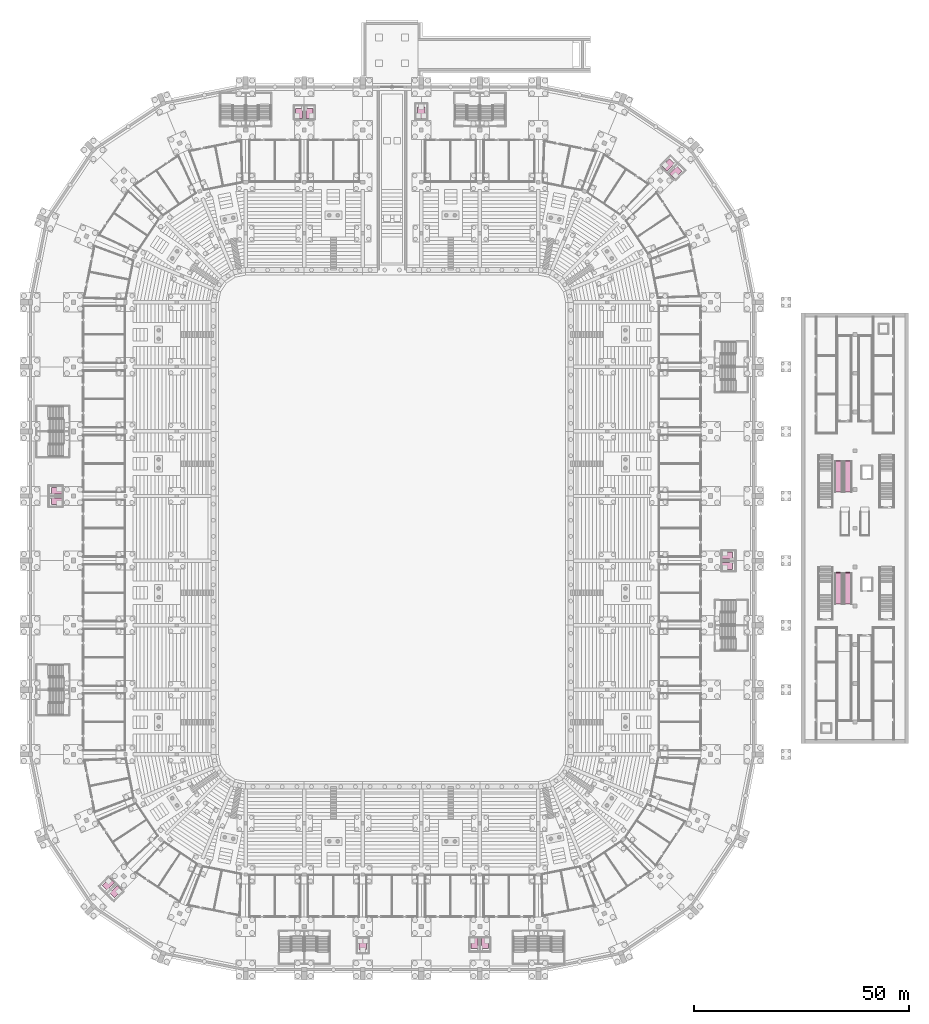
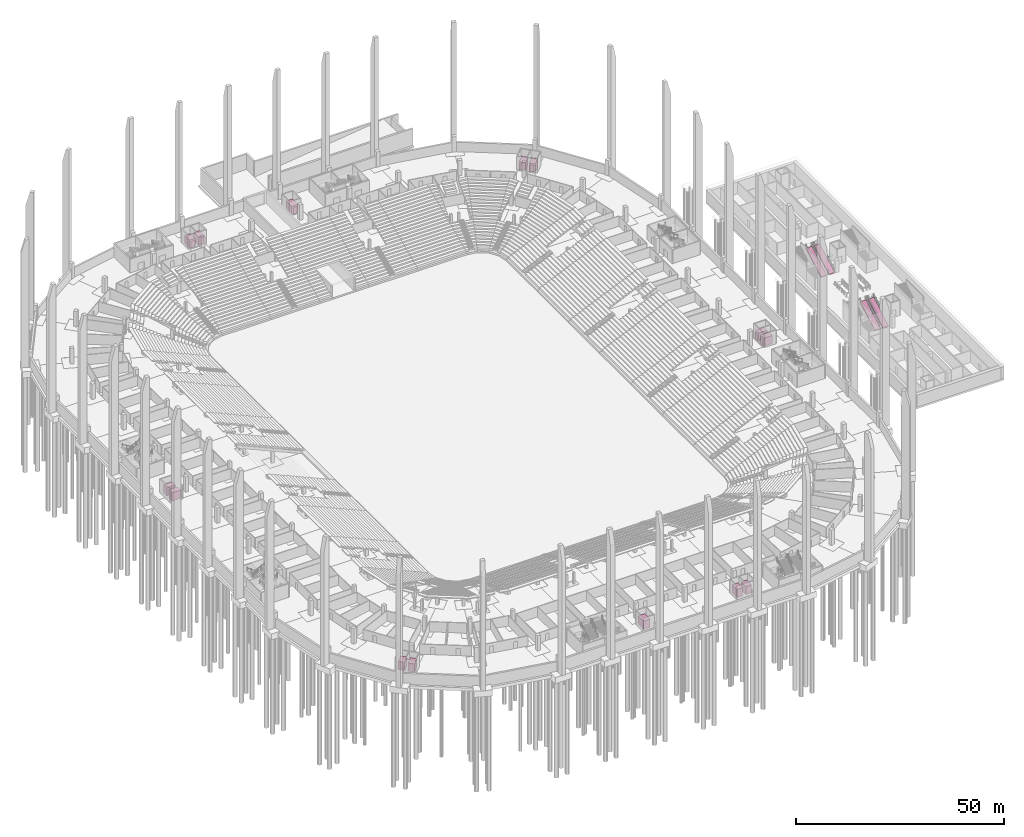
# One storey, part 115 of 115: 18 transport elements.
"""IFC4 building model written with IfcOpenShell, lengths in metres."""

from ifc_helpers import new_model, si_unit, direction, frame, origin, origin_2d, place, context, subcontext, project, spatial, polyline, rectangle, outline, extrude, material, type_object, element, save


model = new_model("IFC4")

# Units and contexts
model_context = context("Model", 3, precision=1e-05, world=origin(), true_north=direction((0.0, 1.0)))
body_context = subcontext(model_context, "Body", "Model", "MODEL_VIEW")
ifc_project = project(units=[si_unit("LENGTHUNIT", "METRE"), si_unit("AREAUNIT", "SQUARE_METRE"), si_unit("VOLUMEUNIT", "CUBIC_METRE"), si_unit("PLANEANGLEUNIT", "RADIAN"), si_unit("MASSUNIT", "GRAM", prefix="KILO")], contexts=[model_context])

# Site, building, storey
site_placement = place(None, origin())
site = spatial("IfcSite", under=ifc_project, at=site_placement, CompositionType="ELEMENT")
building_placement = place(site_placement, origin())
building = spatial("IfcBuilding", under=site, at=building_placement, Name="Ogive Plaza Stadium", CompositionType="ELEMENT")
storey_placement = place(building_placement, frame((0.0, 0.0, -4.5)))
storey = spatial("IfcBuildingStorey", under=building, at=storey_placement, Name="B1", CompositionType="ELEMENT", Elevation=-4.5)

# Transport elements
ifc_material_1 = material(Name="Steel truss, stainless steel balustrade", Category="steel")
transport_element_type_1 = type_object("IfcTransportElementType", Name="Escalator 1600 30 degrees", PredefinedType="ESCALATOR", material=ifc_material_1)
transport_element_1_placement = place(storey_placement, frame((102.89990234375, -17.59423828125, 0.346435546875), z_axis=(0.0, -0.499992114976, 0.866029956157), x_axis=(1.0, 0.0, 0.0)))
element("IfcTransportElement", 1, at=transport_element_1_placement, inside=storey, type_object=transport_element_type_1, Name="Escalator ES3", PredefinedType="ESCALATOR", context=body_context, shape_type="SweptSolid", body=[
    extrude(outline(polyline([(0.0, 0.0), (1.60009765625, 0.0), (1.60009765625, 8.307259912141163), (0.0, 8.307259912141163), (0.0, 0.0)])), origin(), (0.0, 0.0, -1.0), 0.39990234375),
])
transport_element_2_placement = place(storey_placement, frame((105.10009765625, -17.59423828125, 0.346435546875), z_axis=(0.0, -0.499992114976, 0.866029956157), x_axis=(1.0, 0.0, 0.0)))
element("IfcTransportElement", 2, at=transport_element_2_placement, inside=storey, type_object=transport_element_type_1, Name="Escalator ES4", PredefinedType="ESCALATOR", context=body_context, shape_type="SweptSolid", body=[
    extrude(outline(polyline([(0.0, 0.0), (1.599853515625, 0.0), (1.599853515625, 8.307259912141163), (0.0, 8.307259912141163), (0.0, 0.0)])), origin(), (0.0, 0.0, -1.0), 0.39990234375),
])
transport_element_3_placement = place(storey_placement, frame((102.89990234375, 8.40576171875, 0.346435546875), z_axis=(0.0, -0.499992114976, 0.866029956157), x_axis=(1.0, 0.0, 0.0)))
element("IfcTransportElement", 3, at=transport_element_3_placement, inside=storey, type_object=transport_element_type_1, Name="Escalator ES5", PredefinedType="ESCALATOR", context=body_context, shape_type="SweptSolid", body=[
    extrude(outline(polyline([(0.0, 0.0), (1.60009765625, 0.0), (1.60009765625, 8.307259912141163), (0.0, 8.307259912141163), (0.0, 0.0)])), origin(), (0.0, 0.0, -1.0), 0.39990234375),
])
transport_element_4_placement = place(storey_placement, frame((105.10009765625, 8.40576171875, 0.346435546875), z_axis=(0.0, -0.499992114976, 0.866029956157), x_axis=(1.0, 0.0, 0.0)))
element("IfcTransportElement", 4, at=transport_element_4_placement, inside=storey, type_object=transport_element_type_1, Name="Escalator ES6", PredefinedType="ESCALATOR", context=body_context, shape_type="SweptSolid", body=[
    extrude(outline(polyline([(0.0, 0.0), (1.599853515625, 0.0), (1.599853515625, 8.307259912141163), (0.0, 8.307259912141163), (0.0, 0.0)])), origin(), (0.0, 0.0, -1.0), 0.39990234375),
])
ifc_material_2 = material(Name="Steel ASTM A572 Grade 50", Category="steel")
transport_element_type_2 = type_object("IfcTransportElementType", Name="Passenger lift", PredefinedType="ELEVATOR", material=ifc_material_2)
for number, where, z_axis, x_axis, name in (
    (5, (77.85009765625, -8.72509765625, 0.0), (0.0, 0.0, 1.0), (1.0, 0.0, 0.0), "Lift LP05-1"),
    (6, (77.85009765625, -6.27490234375, 0.0), (0.0, 0.0, 1.0), (1.0, 0.0, 0.0), "Lift LP05-2"),
    (7, (19.175048828125, -96.35009765625, 0.0), (0.0, 0.0, 1.0), (0.0, -1.0, 0.0), "Lift LP13-1"),
    (8, (21.625, -96.35009765625, 0.0), (0.0, 0.0, 1.0), (0.0, -1.0, 0.0), "Lift LP13-2"),
    (9, (-65.872802734375, -82.640380859375, 0.0), (0.0, 0.0, 1.0), (-0.707106781187, -0.707106781187, 0.0), "Lift LP19-1"),
    (10, (-64.140380859375, -84.372802734375, 0.0), (0.0, 0.0, 1.0), (-0.707106781187, -0.707106781187, 0.0), "Lift LP19-2"),
    (11, (-77.85009765625, 8.72509765625, 0.0), (0.0, 0.0, 1.0), (-1.0, 0.0, 0.0), "Lift LP25-1"),
    (12, (-77.85009765625, 6.27490234375, 0.0), (0.0, 0.0, 1.0), (-1.0, 0.0, 0.0), "Lift LP25-2"),
    (13, (-19.175048828125, 96.35009765625, 0.0), (0.0, 0.0, 1.0), (0.0, 1.0, 0.0), "Lift LP33-1"),
    (14, (-21.625, 96.35009765625, 0.0), (0.0, 0.0, 1.0), (0.0, 1.0, 0.0), "Lift LP33-2"),
    (15, (65.872802734375, 82.640380859375, 0.0), (0.0, 0.0, 1.0), (0.707106781187, 0.707106781187, 0.0), "Lift LP39-1"),
    (16, (64.140380859375, 84.372802734375, 0.0), (0.0, 0.0, 1.0), (0.707106781187, 0.707106781187, 0.0), "Lift LP39-2"),
):
    element("IfcTransportElement", number, at=place(storey_placement, frame(where, z_axis=z_axis, x_axis=x_axis)), inside=storey, type_object=transport_element_type_2, Name=name, PredefinedType="ELEVATOR", context=body_context, shape_type="SweptSolid", body=[
        extrude(rectangle(XDim=2.39990234375, YDim=1.60009765625, at=origin_2d()), origin(), (0.0, 0.0, 1.0), 2.39990234375),
    ])
ifc_material_3 = material(Name="Steel ASTM A572 Grade 50", Category="steel")
transport_element_type_3 = type_object("IfcTransportElementType", Name="Service lift", PredefinedType="ELEVATOR", material=ifc_material_3)
for number, where, z_axis, x_axis, name in (
    (17, (-6.800048828125, -96.5, 0.0), (0.0, 0.0, 1.0), (0.0, -1.0, 0.0), "Lift LS15-1"),
    (18, (6.800048828125, 96.5, 0.0), (0.0, 0.0, 1.0), (0.0, 1.0, 0.0), "Lift LS35-1"),
):
    element("IfcTransportElement", number, at=place(storey_placement, frame(where, z_axis=z_axis, x_axis=x_axis)), inside=storey, type_object=transport_element_type_3, Name=name, PredefinedType="ELEVATOR", context=body_context, shape_type="SweptSolid", body=[
        extrude(rectangle(XDim=2.699951171875, YDim=1.800048828125, at=origin_2d()), origin(), (0.0, 0.0, 1.0), 2.39990234375),
    ])

save(model, "model.ifc")
